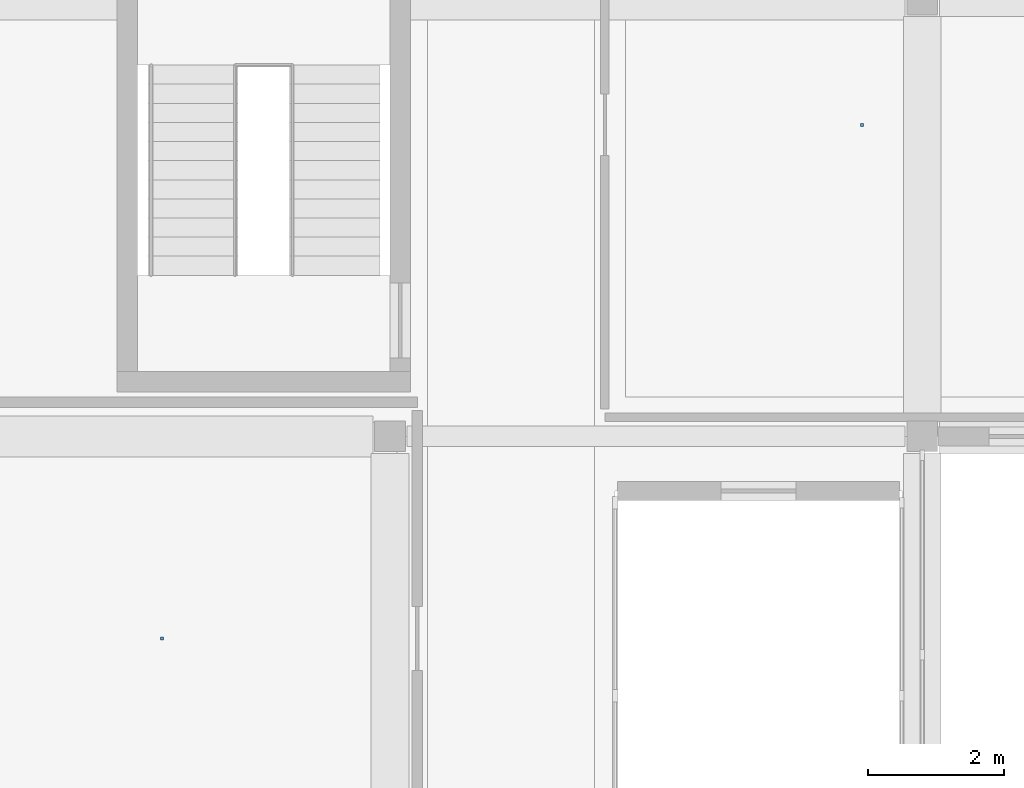
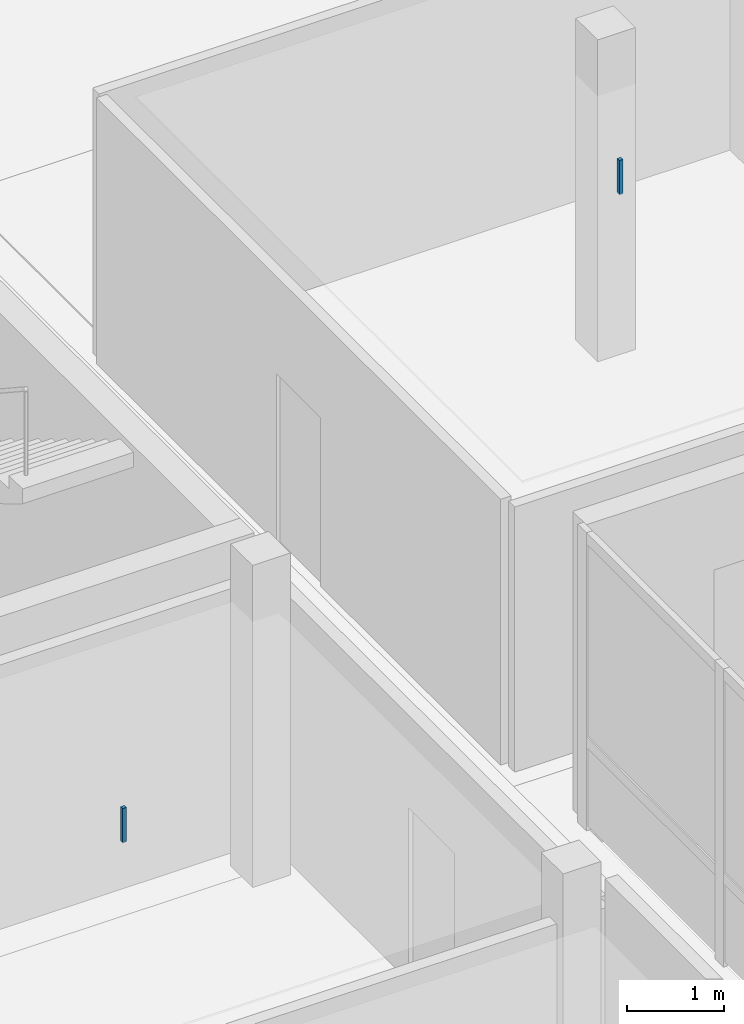
# One storey, part 66 of 86: 2 discrete accessories.
"""IFC4 building model written with IfcOpenShell, lengths in metres."""

from ifc_helpers import new_model, si_unit, derived_unit, direction, frame, origin, origin_2d, place, context, subcontext, project, spatial, rectangle, extrude, material, type_object, element, save


model = new_model("IFC4")

# Units and contexts
model_context = context("Model", 3, precision=1e-05, world=origin(), true_north=direction((0.0, 1.0)))
body_context = subcontext(model_context, "Body", "Model", "MODEL_VIEW")
ifc_project = project(units=[si_unit("LENGTHUNIT", "METRE"), si_unit("AREAUNIT", "SQUARE_METRE"), si_unit("VOLUMEUNIT", "CUBIC_METRE"), si_unit("PLANEANGLEUNIT", "RADIAN"), si_unit("MASSUNIT", "GRAM", prefix="KILO"), derived_unit("THERMALTRANSMITTANCEUNIT", [(si_unit("POWERUNIT", "WATT"), 1), (si_unit("LENGTHUNIT", "METRE"), -2), (si_unit("THERMODYNAMICTEMPERATUREUNIT", "KELVIN"), -1)])], contexts=[model_context])

# Site, building, storey
site_placement = place(None, origin())
site = spatial("IfcSite", under=ifc_project, at=site_placement, CompositionType="ELEMENT")
building_placement = place(site_placement, origin())
building = spatial("IfcBuilding", under=site, at=building_placement, Name="Braskholm Square Health Centre", CompositionType="ELEMENT")
storey_placement = place(building_placement, frame((0.0, 0.0, 13.5)))
storey = spatial("IfcBuildingStorey", under=building, at=storey_placement, Name="L04", CompositionType="ELEMENT", Elevation=13.5)

# Discrete accessories
ifc_material = material(Name="Steel ASTM A500 Grade C", Category="steel")
discrete_accessory_type = type_object("IfcDiscreteAccessoryType", Name="CeilingSuspensionBracket", PredefinedType="BRACKET", material=ifc_material)
for number, where, z_axis, x_axis, name in (
    (1, (8.06005859375, 46.0400390625, 3.33203125), (0.0, 0.0, 1.0), (1.0, 0.0, 0.0), "Ceiling hanger bracket 0064"),
    (2, (18.31494140625, 53.56494140625, 3.33203125), (0.0, 0.0, 1.0), (1.0, 0.0, 0.0), "Ceiling hanger bracket 0073"),
):
    element("IfcDiscreteAccessory", number, at=place(storey_placement, frame(where, z_axis=z_axis, x_axis=x_axis)), inside=storey, type_object=discrete_accessory_type, Name=name, PredefinedType="BRACKET", context=body_context, shape_type="SweptSolid", body=[
        extrude(rectangle(XDim=0.044921875, YDim=0.044921875, at=origin_2d()), origin(), (0.0, 0.0, 1.0), 0.429931640625),
    ])

save(model, "model.ifc")
